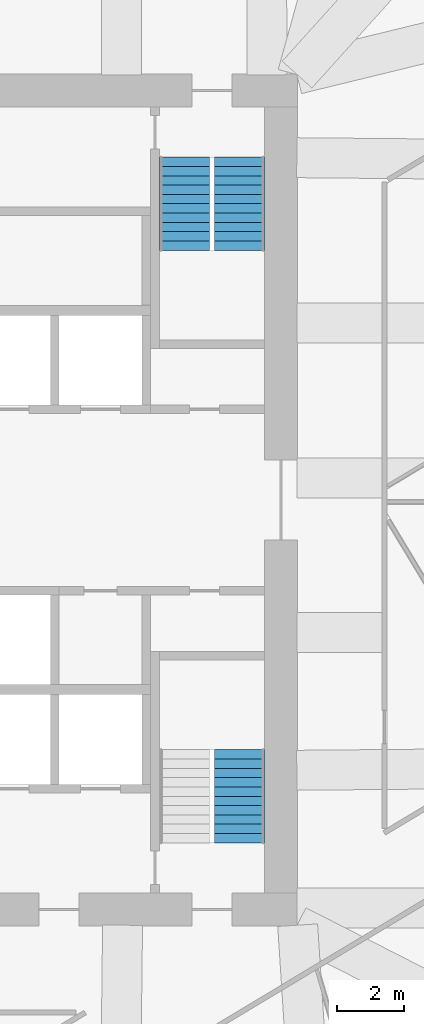
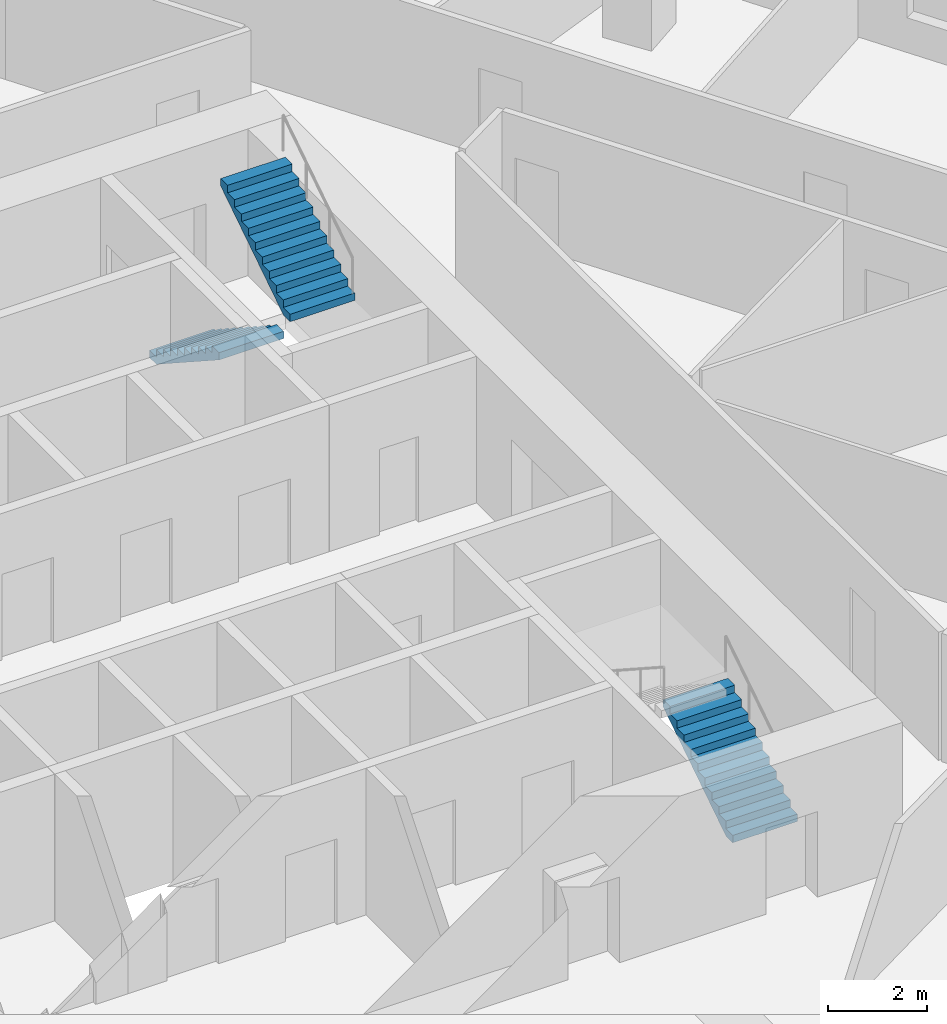
# One storey, part 11 of 14: 3 stair flights, 2 elements without a shape of their own.
"""IFC4 building model written with IfcOpenShell, lengths in metres."""

from ifc_helpers import new_model, si_unit, direction, frame, origin, place, context, subcontext, project, spatial, polyline, outline, extrude, material, type_object, element, aggregate, save


model = new_model("IFC4")

# Units and contexts
model_context = context("Model", 3, precision=1e-05, world=origin(), true_north=direction((0.0, 1.0)))
body_context = subcontext(model_context, "Body", "Model", "MODEL_VIEW")
ifc_project = project(units=[si_unit("LENGTHUNIT", "METRE"), si_unit("AREAUNIT", "SQUARE_METRE"), si_unit("VOLUMEUNIT", "CUBIC_METRE"), si_unit("PLANEANGLEUNIT", "RADIAN"), si_unit("MASSUNIT", "GRAM", prefix="KILO")], contexts=[model_context])

# Site, building, storey
site_placement = place(None, origin())
site = spatial("IfcSite", under=ifc_project, at=site_placement, CompositionType="ELEMENT")
building_placement = place(site_placement, origin())
building = spatial("IfcBuilding", under=site, at=building_placement, Name="Dilmun Exchange Tower", CompositionType="ELEMENT")
storey_placement = place(building_placement, frame((0.0, 0.0, 147.699951171875)))
storey = spatial("IfcBuildingStorey", under=building, at=storey_placement, Name="L34", CompositionType="ELEMENT", Elevation=147.699951171875)

# Stair, stair flights
ifc_material = material(Name="Concrete C40/50", Category="concrete")
stair_type = type_object("IfcStairType", Name="Exit stair 1500 half-turn", PredefinedType="HALF_TURN_STAIR", material=ifc_material)
stair_1_placement = place(storey_placement, origin())
stair_1 = element("IfcStair", 1, at=stair_1_placement, inside=storey, type_object=stair_type, Name="L34 Protected exit stair ST1", PredefinedType="HALF_TURN_STAIR")
stair_flight_type = type_object("IfcStairFlightType", Name="Exit stair flight 1500", PredefinedType="STRAIGHT", material=ifc_material)
stair_flight_1_placement = place(storey_placement, frame((9.39990234375, 10.300048828125, 0.0), z_axis=(0.0, 0.0, 1.0), x_axis=(0.0, -1.0, 0.0)))
stair_flight_1 = element("IfcStairFlight", 2, at=stair_flight_1_placement, type_object=stair_flight_type, Name="ST1 flight 1", NumberOfRisers=11, NumberOfTreads=10, PredefinedType="STRAIGHT", RiserHeight=0.181818182, TreadLength=0.28, context=body_context, shape_type="SweptSolid", body=[
    extrude(outline(polyline([(0.0, 0.0), (0.0, 0.181884765625), (0.280029296875, 0.181884765625), (0.280029296875, 0.363525390625), (0.56005859375, 0.363525390625), (0.56005859375, 0.54541015625), (0.840087890625, 0.54541015625), (0.840087890625, 0.727294921875), (1.1201171875, 0.727294921875), (1.1201171875, 0.9091796875), (1.39990234375, 0.9091796875), (1.39990234375, 1.0908203125), (1.679931640625, 1.0908203125), (1.679931640625, 1.272705078125), (1.9599609375, 1.272705078125), (1.9599609375, 1.45458984375), (2.239990234375, 1.45458984375), (2.239990234375, 1.636474609375), (2.52001953125, 1.636474609375), (2.52001953125, 1.818115234375), (2.800048828125, 1.818115234375), (2.800048828125, 2.0), (2.800048828125, 1.639404296875), (0.275146484375, 0.0), (0.0, 0.0)])), frame((0.0, 0.75, 0.0), z_axis=(0.0, -1.0, 0.0), x_axis=(1.0, 0.0, 0.0)), (0.0, 0.0, 1.0), 1.5),
])
stair_flight_2_placement = place(storey_placement, frame((11.050048828125, 7.5, 2.0), z_axis=(0.0, 0.0, 1.0), x_axis=(0.0, 1.0, 0.0)))
stair_flight_2 = element("IfcStairFlight", 3, at=stair_flight_2_placement, type_object=stair_flight_type, Name="ST1 flight 2", NumberOfRisers=11, NumberOfTreads=10, PredefinedType="STRAIGHT", RiserHeight=0.181818182, TreadLength=0.28, context=body_context, shape_type="SweptSolid", body=[
    extrude(outline(polyline([(0.0, 0.0), (0.0, 0.181884765625), (0.280029296875, 0.181884765625), (0.280029296875, 0.363525390625), (0.56005859375, 0.363525390625), (0.56005859375, 0.54541015625), (0.840087890625, 0.54541015625), (0.840087890625, 0.727294921875), (1.1201171875, 0.727294921875), (1.1201171875, 0.9091796875), (1.39990234375, 0.9091796875), (1.39990234375, 1.0908203125), (1.679931640625, 1.0908203125), (1.679931640625, 1.272705078125), (1.9599609375, 1.272705078125), (1.9599609375, 1.45458984375), (2.239990234375, 1.45458984375), (2.239990234375, 1.636474609375), (2.52001953125, 1.636474609375), (2.52001953125, 1.818115234375), (2.800048828125, 1.818115234375), (2.800048828125, 2.0), (2.800048828125, 1.639404296875), (0.275146484375, 0.0), (0.0, 0.0)])), frame((0.0, 0.75, 0.0), z_axis=(0.0, -1.0, 0.0), x_axis=(1.0, 0.0, 0.0)), (0.0, 0.0, 1.0), 1.5),
])
aggregate(stair_1, [stair_flight_1, stair_flight_2])

# Stair, stair flight
stair_2_placement = place(storey_placement, origin())
stair_2 = element("IfcStair", 4, at=stair_2_placement, inside=storey, type_object=stair_type, Name="L34 Protected exit stair ST3", PredefinedType="HALF_TURN_STAIR")
stair_flight_3_placement = place(storey_placement, frame((11.050048828125, -10.300048828125, 0.0), z_axis=(0.0, 0.0, 1.0), x_axis=(0.0, 1.0, 0.0)))
stair_flight_3 = element("IfcStairFlight", 5, at=stair_flight_3_placement, type_object=stair_flight_type, Name="ST3 flight 1", NumberOfRisers=11, NumberOfTreads=10, PredefinedType="STRAIGHT", RiserHeight=0.181818182, TreadLength=0.28, context=body_context, shape_type="SweptSolid", body=[
    extrude(outline(polyline([(0.0, 0.0), (0.0, 0.181884765625), (0.280029296875, 0.181884765625), (0.280029296875, 0.363525390625), (0.56005859375, 0.363525390625), (0.56005859375, 0.54541015625), (0.840087890625, 0.54541015625), (0.840087890625, 0.727294921875), (1.1201171875, 0.727294921875), (1.1201171875, 0.9091796875), (1.39990234375, 0.9091796875), (1.39990234375, 1.0908203125), (1.679931640625, 1.0908203125), (1.679931640625, 1.272705078125), (1.9599609375, 1.272705078125), (1.9599609375, 1.45458984375), (2.239990234375, 1.45458984375), (2.239990234375, 1.636474609375), (2.52001953125, 1.636474609375), (2.52001953125, 1.818115234375), (2.800048828125, 1.818115234375), (2.800048828125, 2.0), (2.800048828125, 1.639404296875), (0.275146484375, 0.0), (0.0, 0.0)])), frame((0.0, 0.75, 0.0), z_axis=(0.0, -1.0, 0.0), x_axis=(1.0, 0.0, 0.0)), (0.0, 0.0, 1.0), 1.5),
])
aggregate(stair_2, [stair_flight_3])

save(model, "model.ifc")
